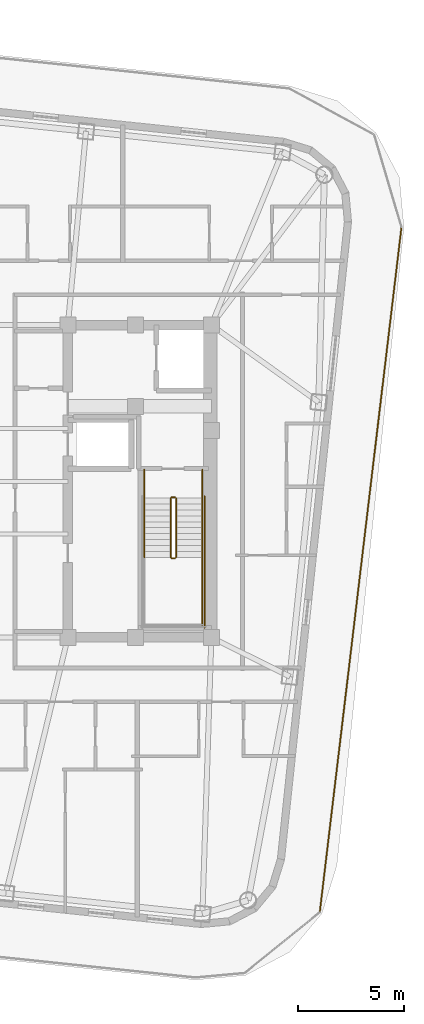
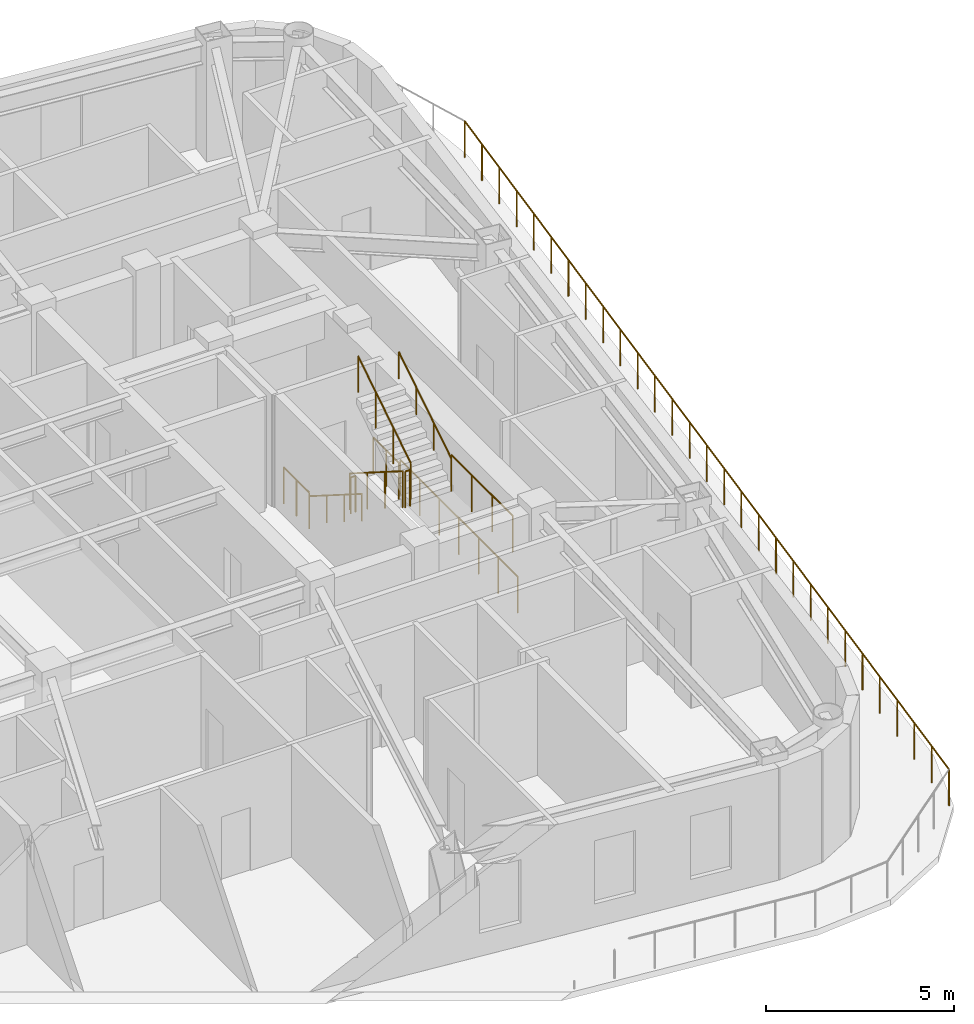
# One storey, part 13 of 14: 11 railings.
"""IFC4 building model written with IfcOpenShell, lengths in metres."""

from ifc_helpers import new_model, si_unit, direction, frame, origin, origin_2d, place, context, subcontext, project, spatial, circle, extrude, material, type_object, element, save


model = new_model("IFC4")

# Units and contexts
model_context = context("Model", 3, precision=1e-05, world=origin(), true_north=direction((0.0, 1.0)))
body_context = subcontext(model_context, "Body", "Model", "MODEL_VIEW")
ifc_project = project(units=[si_unit("LENGTHUNIT", "METRE"), si_unit("AREAUNIT", "SQUARE_METRE"), si_unit("VOLUMEUNIT", "CUBIC_METRE"), si_unit("PLANEANGLEUNIT", "RADIAN"), si_unit("MASSUNIT", "GRAM", prefix="KILO")], contexts=[model_context])

# Site, building, storey
site_placement = place(None, origin())
site = spatial("IfcSite", under=ifc_project, at=site_placement, CompositionType="ELEMENT")
building_placement = place(site_placement, origin())
building = spatial("IfcBuilding", under=site, at=building_placement, Name="Voryun Gate Residences", CompositionType="ELEMENT")
storey_placement = place(building_placement, frame((0.0, 0.0, 291.199951171875)))
storey = spatial("IfcBuildingStorey", under=building, at=storey_placement, Name="L72", CompositionType="ELEMENT", Elevation=291.199951171875)

# Railings
ifc_material_1 = material(Name="Anodised aluminium", Category="aluminium")
railing_type_1 = type_object("IfcRailingType", Name="RAIL_BALCONY_GUARD_1200", PredefinedType="GUARDRAIL", material=ifc_material_1)
railing_1_placement = place(storey_placement, frame((28.206787109375, 12.033935546875, 0.0)))
element("IfcRailing", 1, at=railing_1_placement, inside=storey, type_object=railing_type_1, Name="Terrace guard RL-L72-P2L1-03", PredefinedType="GUARDRAIL", context=body_context, shape_type="SweptSolid", body=[
    extrude(circle(Radius=0.02392578125, at=origin_2d()), frame((0.0, 0.0, 1.17578125), z_axis=(-0.118443176494, -0.992960832028, 0.0), x_axis=(0.992960832028, -0.118443176494, 0.0)), (0.0, 0.0, 1.0), 32.678955078125),
    extrude(circle(Radius=0.02099609375, at=origin_2d()), origin(), (0.0, 0.0, 1.0), 1.15185546875),
    extrude(circle(Radius=0.02099609375, at=origin_2d()), frame((-0.13818359375, -1.158935546875, 0.0)), (0.0, 0.0, 1.0), 1.15185546875),
    extrude(circle(Radius=0.02099609375, at=origin_2d()), frame((-0.2763671875, -2.31787109375, 0.0)), (0.0, 0.0, 1.0), 1.15185546875),
    extrude(circle(Radius=0.02099609375, at=origin_2d()), frame((-0.414794921875, -3.4765625, 0.0)), (0.0, 0.0, 1.0), 1.15185546875),
    extrude(circle(Radius=0.02099609375, at=origin_2d()), frame((-0.552978515625, -4.635498046875, 0.0)), (0.0, 0.0, 1.0), 1.15185546875),
    extrude(circle(Radius=0.02099609375, at=origin_2d()), frame((-0.691162109375, -5.79443359375, 0.0)), (0.0, 0.0, 1.0), 1.15185546875),
    extrude(circle(Radius=0.02099609375, at=origin_2d()), frame((-0.829345703125, -6.953369140625, 0.0)), (0.0, 0.0, 1.0), 1.15185546875),
    extrude(circle(Radius=0.02099609375, at=origin_2d()), frame((-0.9677734375, -8.1123046875, 0.0)), (0.0, 0.0, 1.0), 1.15185546875),
    extrude(circle(Radius=0.02099609375, at=origin_2d()), frame((-1.10595703125, -9.271240234375, 0.0)), (0.0, 0.0, 1.0), 1.15185546875),
    extrude(circle(Radius=0.02099609375, at=origin_2d()), frame((-1.244140625, -10.429931640625, 0.0)), (0.0, 0.0, 1.0), 1.15185546875),
    extrude(circle(Radius=0.02099609375, at=origin_2d()), frame((-1.38232421875, -11.5888671875, 0.0)), (0.0, 0.0, 1.0), 1.15185546875),
    extrude(circle(Radius=0.02099609375, at=origin_2d()), frame((-1.5205078125, -12.747802734375, 0.0)), (0.0, 0.0, 1.0), 1.15185546875),
    extrude(circle(Radius=0.02099609375, at=origin_2d()), frame((-1.658935546875, -13.90673828125, 0.0)), (0.0, 0.0, 1.0), 1.15185546875),
    extrude(circle(Radius=0.02099609375, at=origin_2d()), frame((-1.797119140625, -15.065673828125, 0.0)), (0.0, 0.0, 1.0), 1.15185546875),
    extrude(circle(Radius=0.02099609375, at=origin_2d()), frame((-1.935302734375, -16.224609375, 0.0)), (0.0, 0.0, 1.0), 1.15185546875),
    extrude(circle(Radius=0.02099609375, at=origin_2d()), frame((-2.073486328125, -17.38330078125, 0.0)), (0.0, 0.0, 1.0), 1.15185546875),
    extrude(circle(Radius=0.02099609375, at=origin_2d()), frame((-2.211669921875, -18.542236328125, 0.0)), (0.0, 0.0, 1.0), 1.15185546875),
    extrude(circle(Radius=0.02099609375, at=origin_2d()), frame((-2.35009765625, -19.701171875, 0.0)), (0.0, 0.0, 1.0), 1.15185546875),
    extrude(circle(Radius=0.02099609375, at=origin_2d()), frame((-2.48828125, -20.860107421875, 0.0)), (0.0, 0.0, 1.0), 1.15185546875),
    extrude(circle(Radius=0.02099609375, at=origin_2d()), frame((-2.62646484375, -22.01904296875, 0.0)), (0.0, 0.0, 1.0), 1.15185546875),
    extrude(circle(Radius=0.02099609375, at=origin_2d()), frame((-2.7646484375, -23.177734375, 0.0)), (0.0, 0.0, 1.0), 1.15185546875),
    extrude(circle(Radius=0.02099609375, at=origin_2d()), frame((-2.90283203125, -24.336669921875, 0.0)), (0.0, 0.0, 1.0), 1.15185546875),
    extrude(circle(Radius=0.02099609375, at=origin_2d()), frame((-3.041259765625, -25.49560546875, 0.0)), (0.0, 0.0, 1.0), 1.15185546875),
    extrude(circle(Radius=0.02099609375, at=origin_2d()), frame((-3.179443359375, -26.654541015625, 0.0)), (0.0, 0.0, 1.0), 1.15185546875),
    extrude(circle(Radius=0.02099609375, at=origin_2d()), frame((-3.317626953125, -27.8134765625, 0.0)), (0.0, 0.0, 1.0), 1.15185546875),
    extrude(circle(Radius=0.02099609375, at=origin_2d()), frame((-3.455810546875, -28.972412109375, 0.0)), (0.0, 0.0, 1.0), 1.15185546875),
    extrude(circle(Radius=0.02099609375, at=origin_2d()), frame((-3.59423828125, -30.131103515625, 0.0)), (0.0, 0.0, 1.0), 1.15185546875),
    extrude(circle(Radius=0.02099609375, at=origin_2d()), frame((-3.732421875, -31.2900390625, 0.0)), (0.0, 0.0, 1.0), 1.15185546875),
    extrude(circle(Radius=0.02099609375, at=origin_2d()), frame((-3.87060546875, -32.448974609375, 0.0)), (0.0, 0.0, 1.0), 1.15185546875),
])
ifc_material_2 = material(Name="Painted steel", Category="steel")
railing_type_2 = type_object("IfcRailingType", Name="RAIL_STAIR_GUARD_1200", PredefinedType="GUARDRAIL", material=ifc_material_2)
railing_2_placement = place(storey_placement, frame((17.27490234375, -0.800048828125, 0.17724609375)))
element("IfcRailing", 2, at=railing_2_placement, inside=storey, type_object=railing_type_2, Name="L72 ST-E1 stair guard 1", PredefinedType="GUARDRAIL", context=body_context, shape_type="SweptSolid", body=[
    extrude(circle(Radius=0.02392578125, at=origin_2d()), frame((0.0, 0.0, 1.17578125), z_axis=(0.0, -0.844908973607, 0.534910110503), x_axis=(1.0, 0.0, 0.0)), (0.0, 0.0, 1.0), 3.31396484375),
    extrude(circle(Radius=0.02099609375, at=origin_2d()), origin(), (0.0, 0.0, 1.0), 1.15185546875),
    extrude(circle(Radius=0.02099609375, at=origin_2d()), frame((0.0, -0.933349609375, 0.5908203125)), (0.0, 0.0, 1.0), 1.15185546875),
    extrude(circle(Radius=0.02099609375, at=origin_2d()), frame((0.0, -1.86669921875, 1.181884765625)), (0.0, 0.0, 1.0), 1.15185546875),
    extrude(circle(Radius=0.02099609375, at=origin_2d()), frame((0.0, -2.800048828125, 1.772705078125)), (0.0, 0.0, 1.0), 1.15185546875),
])
railing_3_placement = place(storey_placement, frame((17.324951171875, -3.64990234375, 1.949951171875)))
element("IfcRailing", 3, at=railing_3_placement, inside=storey, type_object=railing_type_2, Name="L72 ST-E1 stair guard 2", PredefinedType="GUARDRAIL", context=body_context, shape_type="SweptSolid", body=[
    extrude(circle(Radius=0.02392578125, at=origin_2d()), frame((0.0, 0.0, 1.17578125), z_axis=(1.0, 0.0, 0.0), x_axis=(0.0, 1.0, 0.0)), (0.0, 0.0, 1.0), 0.150146484375),
    extrude(circle(Radius=0.02099609375, at=origin_2d()), origin(), (0.0, 0.0, 1.0), 1.15185546875),
    extrude(circle(Radius=0.02099609375, at=origin_2d()), frame((0.150146484375, 0.0, 0.0)), (0.0, 0.0, 1.0), 1.15185546875),
])
railing_4_placement = place(storey_placement, frame((18.77490234375, -3.60009765625, 1.949951171875)))
element("IfcRailing", 4, at=railing_4_placement, inside=storey, type_object=railing_type_2, Name="L72 ST-E1 stair guard 4", PredefinedType="GUARDRAIL", context=body_context, shape_type="SweptSolid", body=[
    extrude(circle(Radius=0.02392578125, at=origin_2d()), frame((0.0, 0.0, 1.17578125), z_axis=(0.0, -1.0, 0.0), x_axis=(1.0, 0.0, 0.0)), (0.0, 0.0, 1.0), 3.25),
    extrude(circle(Radius=0.02099609375, at=origin_2d()), origin(), (0.0, 0.0, 1.0), 1.15185546875),
    extrude(circle(Radius=0.02099609375, at=origin_2d()), frame((0.0, -1.083251953125, 0.0)), (0.0, 0.0, 1.0), 1.15185546875),
    extrude(circle(Radius=0.02099609375, at=origin_2d()), frame((0.0, -2.166748046875, 0.0)), (0.0, 0.0, 1.0), 1.15185546875),
    extrude(circle(Radius=0.02099609375, at=origin_2d()), frame((0.0, -3.25, 0.0)), (0.0, 0.0, 1.0), 1.15185546875),
])
railing_5_placement = place(storey_placement, frame((17.52490234375, -3.60009765625, 2.12744140625)))
element("IfcRailing", 5, at=railing_5_placement, inside=storey, type_object=railing_type_2, Name="L72 ST-E1 stair guard 6", PredefinedType="GUARDRAIL", context=body_context, shape_type="SweptSolid", body=[
    extrude(circle(Radius=0.02392578125, at=origin_2d()), frame((0.0, 0.0, 1.17578125), z_axis=(0.0, 0.844908973607, 0.534910110503), x_axis=(-1.0, 0.0, 0.0)), (0.0, 0.0, 1.0), 3.31396484375),
    extrude(circle(Radius=0.02099609375, at=origin_2d()), origin(), (0.0, 0.0, 1.0), 1.15185546875),
    extrude(circle(Radius=0.02099609375, at=origin_2d()), frame((0.0, 0.933349609375, 0.5908203125)), (0.0, 0.0, 1.0), 1.15185546875),
    extrude(circle(Radius=0.02099609375, at=origin_2d()), frame((0.0, 1.86669921875, 1.181884765625)), (0.0, 0.0, 1.0), 1.15185546875),
    extrude(circle(Radius=0.02099609375, at=origin_2d()), frame((0.0, 2.800048828125, 1.772705078125)), (0.0, 0.0, 1.0), 1.15185546875),
])
railing_6_placement = place(storey_placement, frame((17.324951171875, -0.75, 0.0)))
element("IfcRailing", 6, at=railing_6_placement, inside=storey, type_object=railing_type_2, Name="L72 ST-E1 stair guard 7", PredefinedType="GUARDRAIL", context=body_context, shape_type="SweptSolid", body=[
    extrude(circle(Radius=0.02392578125, at=origin_2d()), frame((0.0, 0.0, 1.17578125), z_axis=(1.0, 0.0, 0.0), x_axis=(0.0, 1.0, 0.0)), (0.0, 0.0, 1.0), 0.150146484375),
    extrude(circle(Radius=0.02099609375, at=origin_2d()), origin(), (0.0, 0.0, 1.0), 1.15185546875),
    extrude(circle(Radius=0.02099609375, at=origin_2d()), frame((0.150146484375, 0.0, 0.0)), (0.0, 0.0, 1.0), 1.15185546875),
])
for number, where, name in (
    (7, (16.02490234375, 0.550048828125, 0.0), "L72 ST-E1 stair guard 8"),
    (8, (18.77490234375, 0.550048828125, 0.0), "L72 ST-E1 stair guard 9"),
):
    element("IfcRailing", number, at=place(storey_placement, frame(where)), inside=storey, type_object=railing_type_2, Name=name, PredefinedType="GUARDRAIL", context=body_context, shape_type="SweptSolid", body=[
        extrude(circle(Radius=0.02392578125, at=origin_2d()), frame((0.0, 0.0, 1.17578125), z_axis=(0.0, -1.0, 0.0), x_axis=(1.0, 0.0, 0.0)), (0.0, 0.0, 1.0), 1.35009765625),
        extrude(circle(Radius=0.02099609375, at=origin_2d()), origin(), (0.0, 0.0, 1.0), 1.15185546875),
        extrude(circle(Radius=0.02099609375, at=origin_2d()), frame((0.0, -0.675048828125, 0.0)), (0.0, 0.0, 1.0), 1.15185546875),
        extrude(circle(Radius=0.02099609375, at=origin_2d()), frame((0.0, -1.35009765625, 0.0)), (0.0, 0.0, 1.0), 1.15185546875),
    ])
railing_7_placement = place(storey_placement, frame((18.875, -0.699951171875, 0.0)))
element("IfcRailing", 9, at=railing_7_placement, inside=storey, type_object=railing_type_2, Name="L72 ST-E1 stair guard 11", PredefinedType="GUARDRAIL", context=body_context, shape_type="SweptSolid", body=[
    extrude(circle(Radius=0.02392578125, at=origin_2d()), frame((0.0, 0.0, 1.17578125), z_axis=(0.0, -1.0, 0.0), x_axis=(1.0, 0.0, 0.0)), (0.0, 0.0, 1.0), 6.25),
    extrude(circle(Radius=0.02099609375, at=origin_2d()), origin(), (0.0, 0.0, 1.0), 1.15185546875),
    extrude(circle(Radius=0.02099609375, at=origin_2d()), frame((0.0, -1.041748046875, 0.0)), (0.0, 0.0, 1.0), 1.15185546875),
    extrude(circle(Radius=0.02099609375, at=origin_2d()), frame((0.0, -2.083251953125, 0.0)), (0.0, 0.0, 1.0), 1.15185546875),
    extrude(circle(Radius=0.02099609375, at=origin_2d()), frame((0.0, -3.125, 0.0)), (0.0, 0.0, 1.0), 1.15185546875),
    extrude(circle(Radius=0.02099609375, at=origin_2d()), frame((0.0, -4.166748046875, 0.0)), (0.0, 0.0, 1.0), 1.15185546875),
    extrude(circle(Radius=0.02099609375, at=origin_2d()), frame((0.0, -5.208251953125, 0.0)), (0.0, 0.0, 1.0), 1.15185546875),
    extrude(circle(Radius=0.02099609375, at=origin_2d()), frame((0.0, -6.25, 0.0)), (0.0, 0.0, 1.0), 1.15185546875),
])
ifc_material_3 = material(Name="Painted steel", Category="steel")
railing_type_3 = type_object("IfcRailingType", Name="RAIL_STAIR_HANDRAIL_900", PredefinedType="HANDRAIL", material=ifc_material_3)
railing_8_placement = place(storey_placement, frame((16.02490234375, -0.800048828125, 0.17724609375)))
element("IfcRailing", 10, at=railing_8_placement, inside=storey, type_object=railing_type_3, Name="L72 ST-E1 stair handrail 1", PredefinedType="HANDRAIL", context=body_context, shape_type="SweptSolid", body=[
    extrude(circle(Radius=0.02392578125, at=origin_2d()), frame((0.0, 0.0, 0.8759765625), z_axis=(0.0, -0.844908973607, 0.534910110503), x_axis=(1.0, 0.0, 0.0)), (0.0, 0.0, 1.0), 3.31396484375),
    extrude(circle(Radius=0.02099609375, at=origin_2d()), origin(), (0.0, 0.0, 1.0), 0.851806640625),
    extrude(circle(Radius=0.02099609375, at=origin_2d()), frame((0.0, -0.933349609375, 0.5908203125)), (0.0, 0.0, 1.0), 0.851806640625),
    extrude(circle(Radius=0.02099609375, at=origin_2d()), frame((0.0, -1.86669921875, 1.181884765625)), (0.0, 0.0, 1.0), 0.851806640625),
    extrude(circle(Radius=0.02099609375, at=origin_2d()), frame((0.0, -2.800048828125, 1.772705078125)), (0.0, 0.0, 1.0), 0.851806640625),
])
railing_9_placement = place(storey_placement, frame((18.77490234375, -3.60009765625, 2.12744140625)))
element("IfcRailing", 11, at=railing_9_placement, inside=storey, type_object=railing_type_3, Name="L72 ST-E1 stair handrail 2", PredefinedType="HANDRAIL", context=body_context, shape_type="SweptSolid", body=[
    extrude(circle(Radius=0.02392578125, at=origin_2d()), frame((0.0, 0.0, 0.8759765625), z_axis=(0.0, 0.844908973607, 0.534910110503), x_axis=(-1.0, 0.0, 0.0)), (0.0, 0.0, 1.0), 3.31396484375),
    extrude(circle(Radius=0.02099609375, at=origin_2d()), origin(), (0.0, 0.0, 1.0), 0.851806640625),
    extrude(circle(Radius=0.02099609375, at=origin_2d()), frame((0.0, 0.933349609375, 0.5908203125)), (0.0, 0.0, 1.0), 0.851806640625),
    extrude(circle(Radius=0.02099609375, at=origin_2d()), frame((0.0, 1.86669921875, 1.181884765625)), (0.0, 0.0, 1.0), 0.851806640625),
    extrude(circle(Radius=0.02099609375, at=origin_2d()), frame((0.0, 2.800048828125, 1.772705078125)), (0.0, 0.0, 1.0), 0.851806640625),
])

save(model, "model.ifc")
